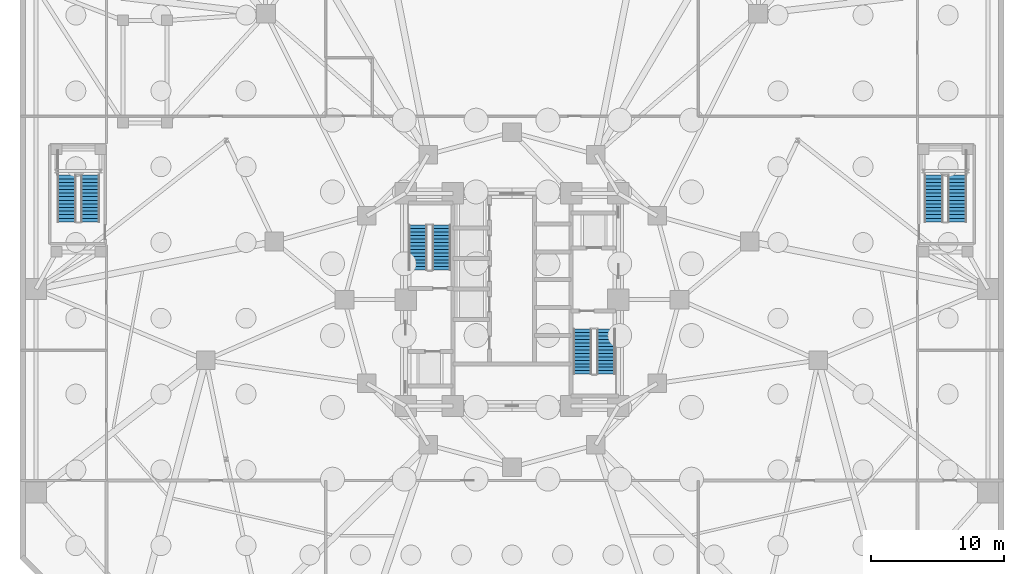
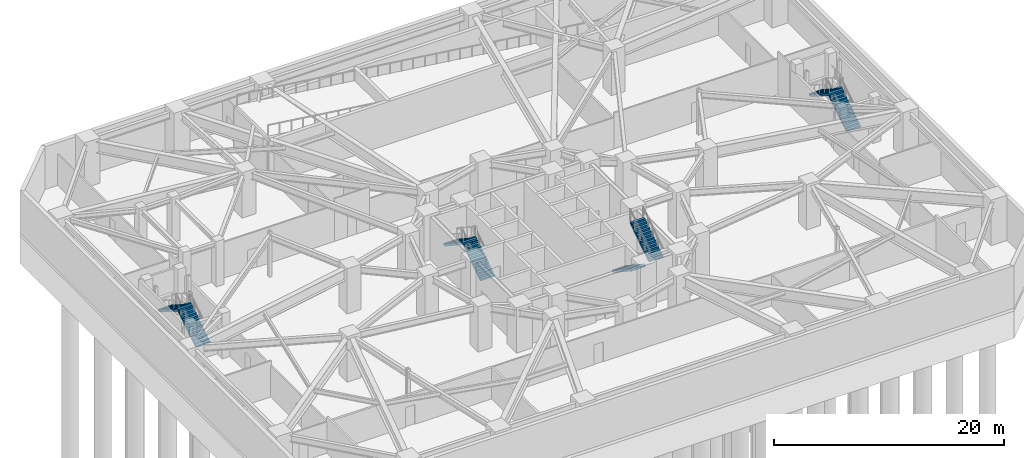
# One storey, part 16 of 20: 8 stair flights, 4 elements without a shape of their own.
"""IFC4 building model written with IfcOpenShell, lengths in metres."""

from ifc_helpers import new_model, si_unit, direction, frame, origin, place, context, subcontext, project, spatial, polyline, outline, extrude, material, type_object, element, aggregate, save


model = new_model("IFC4")

# Units and contexts
model_context = context("Model", 3, precision=1e-05, world=origin(), true_north=direction((0.0, 1.0)))
body_context = subcontext(model_context, "Body", "Model", "MODEL_VIEW")
ifc_project = project(units=[si_unit("LENGTHUNIT", "METRE"), si_unit("AREAUNIT", "SQUARE_METRE"), si_unit("VOLUMEUNIT", "CUBIC_METRE"), si_unit("PLANEANGLEUNIT", "RADIAN"), si_unit("MASSUNIT", "GRAM", prefix="KILO")], contexts=[model_context])

# Site, building, storey
site_placement = place(None, origin())
site = spatial("IfcSite", under=ifc_project, at=site_placement, CompositionType="ELEMENT")
building_placement = place(site_placement, origin())
building = spatial("IfcBuilding", under=site, at=building_placement, Name="Terralouvre Media Tower", CompositionType="ELEMENT")
storey_placement = place(building_placement, frame((0.0, 0.0, -9.60009765625)))
storey = spatial("IfcBuildingStorey", under=building, at=storey_placement, Name="B02", CompositionType="ELEMENT", Elevation=-9.60009765625)

# Stair, stair flights
ifc_material_1 = material(Name="Concrete C45/55", Category="concrete")
stair_type_1 = type_object("IfcStairType", Name="Dogleg Stair Assembly ST-01", PredefinedType="HALF_TURN_STAIR", material=ifc_material_1)
stair_1_placement = place(storey_placement, origin())
stair_1 = element("IfcStair", 1, at=stair_1_placement, inside=storey, type_object=stair_type_1, Name="B02 Core Pressurised Exit Stair ST-01", PredefinedType="HALF_TURN_STAIR")
ifc_material_2 = material(Name="Concrete C45/55", Category="concrete")
stair_flight_type = type_object("IfcStairFlightType", Name="Reinforced Concrete Stair Flight SF-RC1", PredefinedType="STRAIGHT", material=ifc_material_2)
stair_flight_1_placement = place(storey_placement, frame((-5.300048828125, 2.219970703125, 0.0), z_axis=(0.0, 0.0, 1.0), x_axis=(0.0, 1.0, 0.0)))
stair_flight_1 = element("IfcStairFlight", 2, at=stair_flight_1_placement, type_object=stair_flight_type, Name="ST-01 flight 1", NumberOfRisers=14, NumberOfTreads=13, PredefinedType="STRAIGHT", RiserHeight=0.171428571, TreadLength=0.26, context=body_context, shape_type="SweptSolid", body=[
    extrude(outline(polyline([(0.0, 0.0), (0.0, 0.17138671875), (0.260009765625, 0.17138671875), (0.260009765625, 0.3427734375), (0.52001953125, 0.3427734375), (0.52001953125, 0.514404296875), (0.780029296875, 0.514404296875), (0.780029296875, 0.685791015625), (1.0400390625, 0.685791015625), (1.0400390625, 0.857177734375), (1.300048828125, 0.857177734375), (1.300048828125, 1.028564453125), (1.56005859375, 1.028564453125), (1.56005859375, 1.199951171875), (1.820068359375, 1.199951171875), (1.820068359375, 1.371337890625), (2.080078125, 1.371337890625), (2.080078125, 1.54296875), (2.340087890625, 1.54296875), (2.340087890625, 1.71435546875), (2.60009765625, 1.71435546875), (2.60009765625, 1.8857421875), (2.860107421875, 1.8857421875), (2.860107421875, 2.05712890625), (3.1201171875, 2.05712890625), (3.1201171875, 2.228515625), (3.3798828125, 2.228515625), (3.3798828125, 2.39990234375), (3.3798828125, 2.049072265625), (0.272216796875, 0.0), (0.0, 0.0)])), frame((0.0, 0.699951171875, 0.0), z_axis=(0.0, -1.0, 0.0), x_axis=(1.0, 0.0, 0.0)), (0.0, 0.0, 1.0), 1.39990234375),
])
stair_flight_2_placement = place(storey_placement, frame((-7.080078125, 5.60009765625, 2.400146484375), z_axis=(0.0, 0.0, 1.0), x_axis=(0.0, -1.0, 0.0)))
stair_flight_2 = element("IfcStairFlight", 3, at=stair_flight_2_placement, type_object=stair_flight_type, Name="ST-01 flight 2", NumberOfRisers=14, NumberOfTreads=13, PredefinedType="STRAIGHT", RiserHeight=0.171428571, TreadLength=0.26, context=body_context, shape_type="SweptSolid", body=[
    extrude(outline(polyline([(0.0, 0.0), (0.0, 0.17138671875), (0.260009765625, 0.17138671875), (0.260009765625, 0.3427734375), (0.52001953125, 0.3427734375), (0.52001953125, 0.514404296875), (0.780029296875, 0.514404296875), (0.780029296875, 0.685791015625), (1.0400390625, 0.685791015625), (1.0400390625, 0.857177734375), (1.300048828125, 0.857177734375), (1.300048828125, 1.028564453125), (1.56005859375, 1.028564453125), (1.56005859375, 1.199951171875), (1.820068359375, 1.199951171875), (1.820068359375, 1.371337890625), (2.080078125, 1.371337890625), (2.080078125, 1.54296875), (2.340087890625, 1.54296875), (2.340087890625, 1.71435546875), (2.60009765625, 1.71435546875), (2.60009765625, 1.8857421875), (2.860107421875, 1.8857421875), (2.860107421875, 2.05712890625), (3.1201171875, 2.05712890625), (3.1201171875, 2.228515625), (3.3798828125, 2.228515625), (3.3798828125, 2.39990234375), (3.3798828125, 2.049072265625), (0.272216796875, 0.0), (0.0, 0.0)])), frame((0.0, 0.699951171875, 0.0), z_axis=(0.0, -1.0, 0.0), x_axis=(1.0, 0.0, 0.0)), (0.0, 0.0, 1.0), 1.39990234375),
])
aggregate(stair_1, [stair_flight_1, stair_flight_2])

ifc_material_3 = material(Name="Concrete C45/55", Category="concrete")
stair_type_2 = type_object("IfcStairType", Name="Dogleg Stair Assembly ST-02", PredefinedType="HALF_TURN_STAIR", material=ifc_material_3)
stair_2_placement = place(storey_placement, origin())
stair_2 = element("IfcStair", 4, at=stair_2_placement, inside=storey, type_object=stair_type_2, Name="B02 Core Pressurised Exit Stair ST-02", PredefinedType="HALF_TURN_STAIR")
stair_flight_3_placement = place(storey_placement, frame((5.300048828125, -2.219970703125, 0.0), z_axis=(0.0, 0.0, 1.0), x_axis=(0.0, -1.0, 0.0)))
stair_flight_3 = element("IfcStairFlight", 5, at=stair_flight_3_placement, type_object=stair_flight_type, Name="ST-02 flight 1", NumberOfRisers=14, NumberOfTreads=13, PredefinedType="STRAIGHT", RiserHeight=0.171428571, TreadLength=0.26, context=body_context, shape_type="SweptSolid", body=[
    extrude(outline(polyline([(0.0, 0.0), (0.0, 0.17138671875), (0.260009765625, 0.17138671875), (0.260009765625, 0.3427734375), (0.52001953125, 0.3427734375), (0.52001953125, 0.514404296875), (0.780029296875, 0.514404296875), (0.780029296875, 0.685791015625), (1.0400390625, 0.685791015625), (1.0400390625, 0.857177734375), (1.300048828125, 0.857177734375), (1.300048828125, 1.028564453125), (1.56005859375, 1.028564453125), (1.56005859375, 1.199951171875), (1.820068359375, 1.199951171875), (1.820068359375, 1.371337890625), (2.080078125, 1.371337890625), (2.080078125, 1.54296875), (2.340087890625, 1.54296875), (2.340087890625, 1.71435546875), (2.60009765625, 1.71435546875), (2.60009765625, 1.8857421875), (2.860107421875, 1.8857421875), (2.860107421875, 2.05712890625), (3.1201171875, 2.05712890625), (3.1201171875, 2.228515625), (3.3798828125, 2.228515625), (3.3798828125, 2.39990234375), (3.3798828125, 2.049072265625), (0.272216796875, 0.0), (0.0, 0.0)])), frame((0.0, 0.699951171875, 0.0), z_axis=(0.0, -1.0, 0.0), x_axis=(1.0, 0.0, 0.0)), (0.0, 0.0, 1.0), 1.39990234375),
])
stair_flight_4_placement = place(storey_placement, frame((7.080078125, -5.60009765625, 2.400146484375), z_axis=(0.0, 0.0, 1.0), x_axis=(0.0, 1.0, 0.0)))
stair_flight_4 = element("IfcStairFlight", 6, at=stair_flight_4_placement, type_object=stair_flight_type, Name="ST-02 flight 2", NumberOfRisers=14, NumberOfTreads=13, PredefinedType="STRAIGHT", RiserHeight=0.171428571, TreadLength=0.26, context=body_context, shape_type="SweptSolid", body=[
    extrude(outline(polyline([(0.0, 0.0), (0.0, 0.17138671875), (0.260009765625, 0.17138671875), (0.260009765625, 0.3427734375), (0.52001953125, 0.3427734375), (0.52001953125, 0.514404296875), (0.780029296875, 0.514404296875), (0.780029296875, 0.685791015625), (1.0400390625, 0.685791015625), (1.0400390625, 0.857177734375), (1.300048828125, 0.857177734375), (1.300048828125, 1.028564453125), (1.56005859375, 1.028564453125), (1.56005859375, 1.199951171875), (1.820068359375, 1.199951171875), (1.820068359375, 1.371337890625), (2.080078125, 1.371337890625), (2.080078125, 1.54296875), (2.340087890625, 1.54296875), (2.340087890625, 1.71435546875), (2.60009765625, 1.71435546875), (2.60009765625, 1.8857421875), (2.860107421875, 1.8857421875), (2.860107421875, 2.05712890625), (3.1201171875, 2.05712890625), (3.1201171875, 2.228515625), (3.3798828125, 2.228515625), (3.3798828125, 2.39990234375), (3.3798828125, 2.049072265625), (0.272216796875, 0.0), (0.0, 0.0)])), frame((0.0, 0.699951171875, 0.0), z_axis=(0.0, -1.0, 0.0), x_axis=(1.0, 0.0, 0.0)), (0.0, 0.0, 1.0), 1.39990234375),
])
aggregate(stair_2, [stair_flight_3, stair_flight_4])

ifc_material_4 = material(Name="Concrete C45/55", Category="concrete")
stair_type_3 = type_object("IfcStairType", Name="Dogleg Stair Assembly ST-03", PredefinedType="HALF_TURN_STAIR", material=ifc_material_4)
stair_3_placement = place(storey_placement, origin())
stair_3 = element("IfcStair", 7, at=stair_3_placement, inside=storey, type_object=stair_type_3, Name="B02 West Podium Exit Stair ST-03", PredefinedType="HALF_TURN_STAIR")
stair_flight_5_placement = place(storey_placement, frame((-31.7099609375, 5.85009765625, 0.0), z_axis=(0.0, 0.0, 1.0), x_axis=(0.0, 1.0, 0.0)))
stair_flight_5 = element("IfcStairFlight", 8, at=stair_flight_5_placement, type_object=stair_flight_type, Name="ST-03 flight 1", NumberOfRisers=14, NumberOfTreads=13, PredefinedType="STRAIGHT", RiserHeight=0.171428571, TreadLength=0.27, context=body_context, shape_type="SweptSolid", body=[
    extrude(outline(polyline([(0.0, 0.0), (0.0, 0.17138671875), (0.27001953125, 0.17138671875), (0.27001953125, 0.3427734375), (0.5400390625, 0.3427734375), (0.5400390625, 0.514404296875), (0.81005859375, 0.514404296875), (0.81005859375, 0.685791015625), (1.080078125, 0.685791015625), (1.080078125, 0.857177734375), (1.35009765625, 0.857177734375), (1.35009765625, 1.028564453125), (1.6201171875, 1.028564453125), (1.6201171875, 1.199951171875), (1.889892578125, 1.199951171875), (1.889892578125, 1.371337890625), (2.159912109375, 1.371337890625), (2.159912109375, 1.54296875), (2.429931640625, 1.54296875), (2.429931640625, 1.71435546875), (2.699951171875, 1.71435546875), (2.699951171875, 1.8857421875), (2.969970703125, 1.8857421875), (2.969970703125, 2.05712890625), (3.239990234375, 2.05712890625), (3.239990234375, 2.228515625), (3.510009765625, 2.228515625), (3.510009765625, 2.39990234375), (3.510009765625, 2.051025390625), (0.27978515625, 0.0), (0.0, 0.0)])), frame((0.0, 0.7099609375, 0.0), z_axis=(0.0, -1.0, 0.0), x_axis=(1.0, 0.0, 0.0)), (0.0, 0.0, 1.0), 1.419921875),
])
stair_flight_6_placement = place(storey_placement, frame((-33.489990234375, 9.360107421875, 2.400146484375), z_axis=(0.0, 0.0, 1.0), x_axis=(0.0, -1.0, 0.0)))
stair_flight_6 = element("IfcStairFlight", 9, at=stair_flight_6_placement, type_object=stair_flight_type, Name="ST-03 flight 2", NumberOfRisers=14, NumberOfTreads=13, PredefinedType="STRAIGHT", RiserHeight=0.171428571, TreadLength=0.27, context=body_context, shape_type="SweptSolid", body=[
    extrude(outline(polyline([(0.0, 0.0), (0.0, 0.17138671875), (0.27001953125, 0.17138671875), (0.27001953125, 0.3427734375), (0.5400390625, 0.3427734375), (0.5400390625, 0.514404296875), (0.81005859375, 0.514404296875), (0.81005859375, 0.685791015625), (1.080078125, 0.685791015625), (1.080078125, 0.857177734375), (1.35009765625, 0.857177734375), (1.35009765625, 1.028564453125), (1.6201171875, 1.028564453125), (1.6201171875, 1.199951171875), (1.889892578125, 1.199951171875), (1.889892578125, 1.371337890625), (2.159912109375, 1.371337890625), (2.159912109375, 1.54296875), (2.429931640625, 1.54296875), (2.429931640625, 1.71435546875), (2.699951171875, 1.71435546875), (2.699951171875, 1.8857421875), (2.969970703125, 1.8857421875), (2.969970703125, 2.05712890625), (3.239990234375, 2.05712890625), (3.239990234375, 2.228515625), (3.510009765625, 2.228515625), (3.510009765625, 2.39990234375), (3.510009765625, 2.051025390625), (0.27978515625, 0.0), (0.0, 0.0)])), frame((0.0, 0.7099609375, 0.0), z_axis=(0.0, -1.0, 0.0), x_axis=(1.0, 0.0, 0.0)), (0.0, 0.0, 1.0), 1.419921875),
])
aggregate(stair_3, [stair_flight_5, stair_flight_6])

ifc_material_5 = material(Name="Concrete C45/55", Category="concrete")
stair_type_4 = type_object("IfcStairType", Name="Dogleg Stair Assembly ST-04", PredefinedType="HALF_TURN_STAIR", material=ifc_material_5)
stair_4_placement = place(storey_placement, origin())
stair_4 = element("IfcStair", 10, at=stair_4_placement, inside=storey, type_object=stair_type_4, Name="B02 East Podium Exit Stair ST-04", PredefinedType="HALF_TURN_STAIR")
stair_flight_7_placement = place(storey_placement, frame((33.489990234375, 5.85009765625, 0.0), z_axis=(0.0, 0.0, 1.0), x_axis=(0.0, 1.0, 0.0)))
stair_flight_7 = element("IfcStairFlight", 11, at=stair_flight_7_placement, type_object=stair_flight_type, Name="ST-04 flight 1", NumberOfRisers=14, NumberOfTreads=13, PredefinedType="STRAIGHT", RiserHeight=0.171428571, TreadLength=0.27, context=body_context, shape_type="SweptSolid", body=[
    extrude(outline(polyline([(0.0, 0.0), (0.0, 0.17138671875), (0.27001953125, 0.17138671875), (0.27001953125, 0.3427734375), (0.5400390625, 0.3427734375), (0.5400390625, 0.514404296875), (0.81005859375, 0.514404296875), (0.81005859375, 0.685791015625), (1.080078125, 0.685791015625), (1.080078125, 0.857177734375), (1.35009765625, 0.857177734375), (1.35009765625, 1.028564453125), (1.6201171875, 1.028564453125), (1.6201171875, 1.199951171875), (1.889892578125, 1.199951171875), (1.889892578125, 1.371337890625), (2.159912109375, 1.371337890625), (2.159912109375, 1.54296875), (2.429931640625, 1.54296875), (2.429931640625, 1.71435546875), (2.699951171875, 1.71435546875), (2.699951171875, 1.8857421875), (2.969970703125, 1.8857421875), (2.969970703125, 2.05712890625), (3.239990234375, 2.05712890625), (3.239990234375, 2.228515625), (3.510009765625, 2.228515625), (3.510009765625, 2.39990234375), (3.510009765625, 2.051025390625), (0.27978515625, 0.0), (0.0, 0.0)])), frame((0.0, 0.7099609375, 0.0), z_axis=(0.0, -1.0, 0.0), x_axis=(1.0, 0.0, 0.0)), (0.0, 0.0, 1.0), 1.419921875),
])
stair_flight_8_placement = place(storey_placement, frame((31.7099609375, 9.360107421875, 2.400146484375), z_axis=(0.0, 0.0, 1.0), x_axis=(0.0, -1.0, 0.0)))
stair_flight_8 = element("IfcStairFlight", 12, at=stair_flight_8_placement, type_object=stair_flight_type, Name="ST-04 flight 2", NumberOfRisers=14, NumberOfTreads=13, PredefinedType="STRAIGHT", RiserHeight=0.171428571, TreadLength=0.27, context=body_context, shape_type="SweptSolid", body=[
    extrude(outline(polyline([(0.0, 0.0), (0.0, 0.17138671875), (0.27001953125, 0.17138671875), (0.27001953125, 0.3427734375), (0.5400390625, 0.3427734375), (0.5400390625, 0.514404296875), (0.81005859375, 0.514404296875), (0.81005859375, 0.685791015625), (1.080078125, 0.685791015625), (1.080078125, 0.857177734375), (1.35009765625, 0.857177734375), (1.35009765625, 1.028564453125), (1.6201171875, 1.028564453125), (1.6201171875, 1.199951171875), (1.889892578125, 1.199951171875), (1.889892578125, 1.371337890625), (2.159912109375, 1.371337890625), (2.159912109375, 1.54296875), (2.429931640625, 1.54296875), (2.429931640625, 1.71435546875), (2.699951171875, 1.71435546875), (2.699951171875, 1.8857421875), (2.969970703125, 1.8857421875), (2.969970703125, 2.05712890625), (3.239990234375, 2.05712890625), (3.239990234375, 2.228515625), (3.510009765625, 2.228515625), (3.510009765625, 2.39990234375), (3.510009765625, 2.051025390625), (0.27978515625, 0.0), (0.0, 0.0)])), frame((0.0, 0.7099609375, 0.0), z_axis=(0.0, -1.0, 0.0), x_axis=(1.0, 0.0, 0.0)), (0.0, 0.0, 1.0), 1.419921875),
])
aggregate(stair_4, [stair_flight_7, stair_flight_8])

save(model, "model.ifc")
